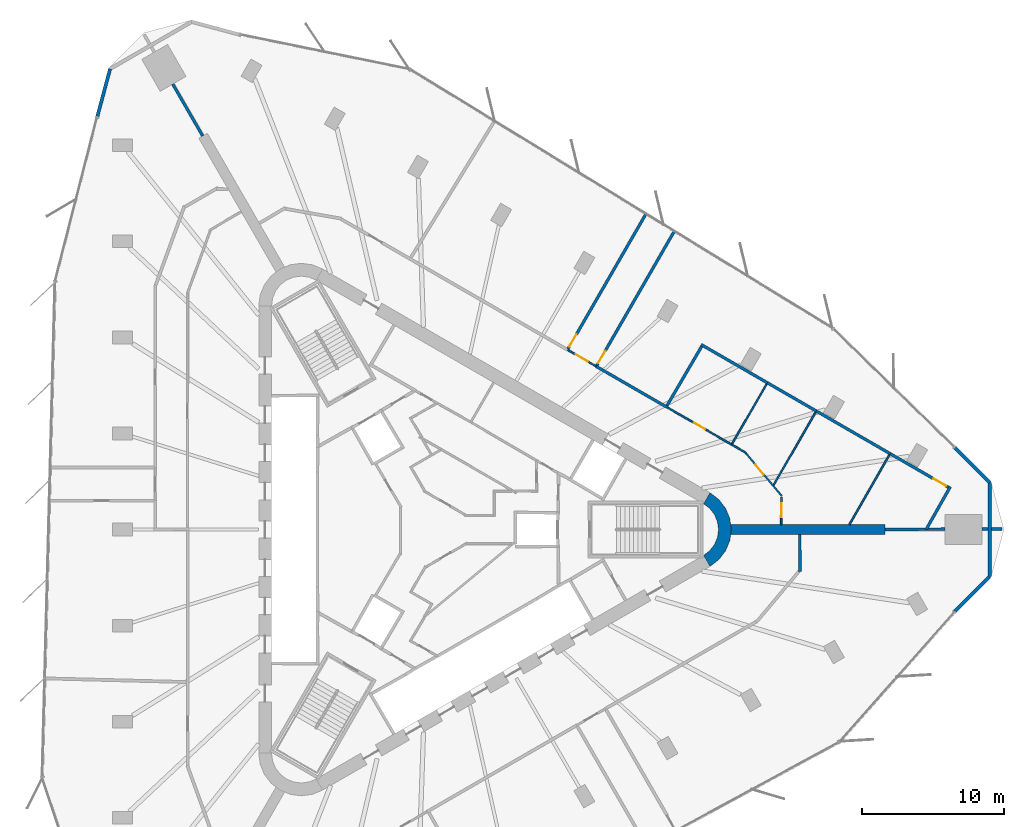
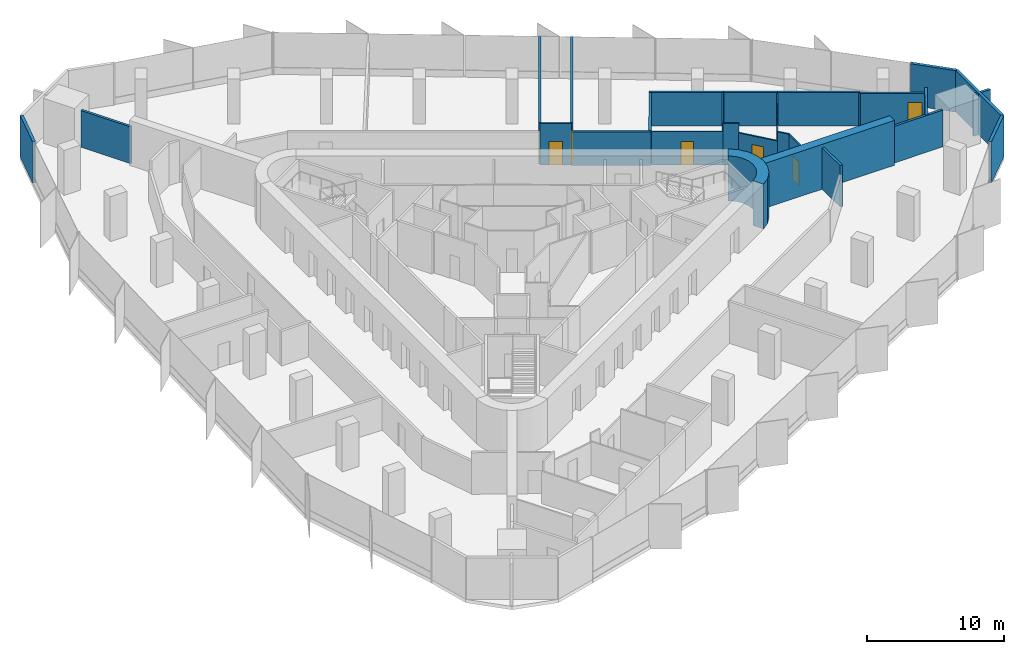
# One storey, part 12 of 14: 29 walls, 7 doors, 7 openings.
"""IFC4 building model written with IfcOpenShell, lengths in metres."""

from ifc_helpers import new_model, si_unit, direction, frame, frame_2d, origin, place, context, subcontext, project, spatial, polyline, rectangle, outline, extrude, material, layer, layer_set, type_object, element, fill, save


model = new_model("IFC4")

# Units and contexts
model_context = context("Model", 3, precision=1e-05, world=origin(), true_north=direction((0.0, 1.0)))
body_context = subcontext(model_context, "Body", "Model", "MODEL_VIEW")
ifc_project = project(units=[si_unit("LENGTHUNIT", "METRE"), si_unit("AREAUNIT", "SQUARE_METRE"), si_unit("VOLUMEUNIT", "CUBIC_METRE"), si_unit("PLANEANGLEUNIT", "RADIAN"), si_unit("MASSUNIT", "GRAM", prefix="KILO")], contexts=[model_context])

# Site, building, storey
site_placement = place(None, origin())
site = spatial("IfcSite", under=ifc_project, at=site_placement, CompositionType="ELEMENT")
building_placement = place(site_placement, origin())
building = spatial("IfcBuilding", under=site, at=building_placement, Name="Tanit Gate Tower", CompositionType="ELEMENT")
storey_placement = place(building_placement, frame((0.0, 0.0, 245.199951171875)))
storey = spatial("IfcBuildingStorey", under=building, at=storey_placement, Name="L55", CompositionType="ELEMENT", Elevation=245.199951171875)

# Walls
ifc_material_1 = material(Name="Concrete C50/60", Category="concrete")
ifc_layer_1 = layer(ifc_material_1, 0.699951171875)
ifc_layer_set_1 = layer_set([ifc_layer_1], Name="BUTTRESS FIN 700 C50/60")
wall_type_1 = type_object("IfcWallType", Name="BUTTRESS FIN 700 C50/60", PredefinedType="SHEAR", material=ifc_layer_set_1)
wall_1_placement = place(storey_placement, frame((21.14990234375, 0.0, 0.0), z_axis=(0.0, 0.0, 1.0), x_axis=(1.0, 0.0, 0.0)))
element("IfcWall", 1, at=wall_1_placement, inside=storey, type_object=wall_type_1, Name="BUTTRESS FIN", PredefinedType="SHEAR", context=body_context, shape_type="SweptSolid", body=[
    extrude(rectangle(XDim=10.900390625, YDim=0.699951171875, at=frame_2d((5.4501953125, 0.0))), origin(), (0.0, 0.0, 1.0), 4.0),
])
ifc_material_2 = material(Name="Concrete C50/60", Category="concrete")
ifc_layer_2 = layer(ifc_material_2, 0.89990234375)
ifc_layer_set_2 = layer_set([ifc_layer_2], Name="CORE WALL 900 C50/60")
wall_type_2 = type_object("IfcWallType", Name="CORE WALL 900 C50/60", PredefinedType="SHEAR", material=ifc_layer_set_2)
wall_2_placement = place(storey_placement, origin())
element("IfcWall", 2, at=wall_2_placement, inside=storey, type_object=wall_type_2, Name="CORE WALL CORNER", PredefinedType="SHEAR", context=body_context, shape_type="SweptSolid", body=[
    extrude(outline(polyline([(19.699951171875, -2.59814453125), (20.3212890625, -2.121337890625), (20.798095703125, -1.5), (21.097900390625, -0.776611328125), (21.199951171875, 0.0), (21.097900390625, 0.776611328125), (20.798095703125, 1.5), (20.3212890625, 2.121337890625), (19.699951171875, 2.59814453125), (19.25, 1.818603515625), (19.684814453125, 1.48486328125), (20.018798828125, 1.050048828125), (20.228515625, 0.54345703125), (20.300048828125, 0.0), (20.228515625, -0.54345703125), (20.018798828125, -1.050048828125), (19.684814453125, -1.48486328125), (19.25, -1.818603515625), (19.699951171875, -2.59814453125)])), origin(), (0.0, 0.0, 1.0), 4.0),
])
ifc_material_3 = material(Name="Concrete C30/37 with bronze anodised aluminium cladding", Category="concrete")
ifc_layer_3 = layer(ifc_material_3, 0.239990234375)
ifc_layer_set_3 = layer_set([ifc_layer_3], Name="Facade wall bronze clad 240")
wall_type_3 = type_object("IfcWallType", Name="Facade wall bronze clad 240", PredefinedType="SOLIDWALL", material=ifc_layer_set_3)
wall_3_placement = place(storey_placement, frame((-22.5791015625, 32.465576171875, 0.0), z_axis=(0.0, 0.0, 1.0), x_axis=(-0.25885800589, -0.965915385935, 0.0)))
element("IfcWall", 3, at=wall_3_placement, inside=storey, type_object=wall_type_3, Name="Bronze-clad facade wall L55 NW.arc3", PredefinedType="SOLIDWALL", context=body_context, shape_type="SweptSolid", body=[
    extrude(rectangle(XDim=3.4697265625, YDim=0.239990234375, at=frame_2d((1.73486328125, 0.0))), origin(), (0.0, 0.0, 1.0), 3.699951171875),
])
wall_4_placement = place(storey_placement, frame((36.948974609375, -5.77783203125, 0.0), z_axis=(0.0, 0.0, 1.0), x_axis=(0.707141916054, 0.707071644573, 0.0)))
element("IfcWall", 4, at=wall_4_placement, inside=storey, type_object=wall_type_3, Name="Bronze-clad facade wall L55 E.arc1", PredefinedType="SOLIDWALL", context=body_context, shape_type="SweptSolid", body=[
    extrude(rectangle(XDim=3.474365234375, YDim=0.239990234375, at=frame_2d((1.7373046875, 0.0))), origin(), (0.0, 0.0, 1.0), 3.699951171875),
])
wall_5_placement = place(storey_placement, frame((39.40576171875, -3.3212890625, 0.0), z_axis=(0.0, 0.0, 1.0), x_axis=(0.0, 1.0, 0.0)))
element("IfcWall", 5, at=wall_5_placement, inside=storey, type_object=wall_type_3, Name="Bronze-clad facade wall L55 E.arc2", PredefinedType="SOLIDWALL", context=body_context, shape_type="SweptSolid", body=[
    extrude(rectangle(XDim=6.642578125, YDim=0.239990234375, at=frame_2d((3.3212890625, 0.0))), origin(), (0.0, 0.0, 1.0), 3.699951171875),
])
wall_6_placement = place(storey_placement, frame((39.40576171875, 3.3212890625, 0.0), z_axis=(0.0, 0.0, 1.0), x_axis=(-0.707106781187, 0.707106781187, 0.0)))
element("IfcWall", 6, at=wall_6_placement, inside=storey, type_object=wall_type_3, Name="Bronze-clad facade wall L55 E.arc3", PredefinedType="SOLIDWALL", context=body_context, shape_type="SweptSolid", body=[
    extrude(rectangle(XDim=3.469970703125, YDim=0.239990234375, at=frame_2d((1.73486328125, 0.0))), origin(), (0.0, 0.0, 1.0), 3.699951171875),
])
ifc_material_4 = material(Name="Fire-rated gypsum board partition")
ifc_layer_4 = layer(ifc_material_4, 0.199951171875)
ifc_layer_set_4 = layer_set([ifc_layer_4], Name="INT-WALL-COMPARTMENT")
wall_type_4 = type_object("IfcWallType", Name="INT-WALL-COMPARTMENT", PredefinedType="PARTITIONING", material=ifc_layer_set_4)
wall_7_placement = place(storey_placement, frame((16.6728515625, 8.6181640625, 0.0), z_axis=(0.0, 0.0, 1.0), x_axis=(-0.866014659605, 0.500018609004, 0.0)))
element("IfcWall", 7, at=wall_7_placement, inside=storey, type_object=wall_type_4, Name="Wall Compartment W107", PredefinedType="PARTITIONING", context=body_context, shape_type="SweptSolid", body=[
    extrude(rectangle(XDim=5.780029296875, YDim=0.199951171875, at=frame_2d((2.89013671875, 0.0))), origin(), (0.0, 0.0, 1.0), 2.97998046875),
])
wall_8_placement = place(storey_placement, frame((26.04736328125, -2.972412109375, 0.0), z_axis=(0.0, 0.0, 1.0), x_axis=(-0.010519853563, 0.99994466481, 0.0)))
element("IfcWall", 8, at=wall_8_placement, inside=storey, type_object=wall_type_4, Name="Wall Compartment W114", PredefinedType="PARTITIONING", context=body_context, shape_type="SweptSolid", body=[
    extrude(rectangle(XDim=2.62255859375, YDim=0.199951171875, at=frame_2d((1.311279296875, 0.0))), origin(), (0.0, 0.0, 1.0), 3.699951171875),
])
wall_9_placement = place(storey_placement, frame((-18.160888671875, 31.3955078125, 0.0), z_axis=(0.0, 0.0, 1.0), x_axis=(0.500034652011, -0.866005396512, 0.0)))
element("IfcWall", 9, at=wall_9_placement, inside=storey, type_object=wall_type_4, Name="Wall Compartment W130", PredefinedType="PARTITIONING", context=body_context, shape_type="SweptSolid", body=[
    extrude(rectangle(XDim=4.219482421875, YDim=0.199951171875, at=frame_2d((2.10986328125, 0.0))), origin(), (0.0, 0.0, 1.0), 3.27001953125),
])

# Wall, opening, door
wall_10_placement = place(storey_placement, frame((15.18701171875, 22.244873046875, 0.0), z_axis=(0.0, 0.0, 1.0), x_axis=(-0.49999723543, -0.866026999904, 0.0)))
wall_10 = element("IfcWall", 10, at=wall_10_placement, inside=storey, type_object=wall_type_4, Name="Wall Compartment W131", PredefinedType="PARTITIONING", context=body_context, shape_type="SweptSolid", body=[
    extrude(rectangle(XDim=10.998046875, YDim=0.199951171875, at=frame_2d((5.4990234375, 0.0))), origin(), (0.0, 0.0, 1.0), 3.699951171875),
])
opening_1_placement = place(wall_10_placement, frame((9.798095703125, 0.0, 0.0)))
opening_1 = element("IfcOpeningElement", 11, at=opening_1_placement, cuts=wall_10, Name="Opening F10-S15-35", PredefinedType="OPENING", context=body_context, shape_type="SweptSolid", body=[
    extrude(rectangle(XDim=1.0, YDim=2.10009765625, at=frame_2d((0.5, 1.050048828125))), frame((0.0, 0.10986328125, 0.0), z_axis=(0.0, -1.0, 0.0), x_axis=(1.0, 0.0, 0.0)), (0.0, 0.0, 1.0), 0.219970703125),
])
ifc_material_5 = material(Name="Fire-rated steel door leaf", Category="steel")
door_type_1 = type_object("IfcDoorType", Name="INT-DOOR-FIRE-1000", OperationType="NOTDEFINED", PredefinedType="USERDEFINED", material=ifc_material_5)
door_1_placement = place(opening_1_placement, origin())
door_1 = element("IfcDoor", 12, at=door_1_placement, inside=storey, type_object=door_type_1, Name="Door F10-S15-35", ObjectType="FIRE DOOR", OperationType="SINGLE_SWING_RIGHT", OverallHeight=2.10009765625, OverallWidth=1.0, PredefinedType="USERDEFINED", context=body_context, shape_type="SweptSolid", body=[
    extrude(rectangle(XDim=1.0, YDim=2.10009765625, at=frame_2d((0.5, 1.050048828125))), frame((0.0, 0.02490234375, 0.0), z_axis=(0.0, -1.0, 0.0), x_axis=(1.0, 0.0, 0.0)), (0.0, 0.0, 1.0), 0.050048828125),
])
fill(opening_1, door_1)

wall_11_placement = place(storey_placement, frame((11.714599609375, 11.550048828125, 0.0), z_axis=(0.0, 0.0, 1.0), x_axis=(0.499999401607, 0.866025749266, 0.0)))
wall_11 = element("IfcWall", 13, at=wall_11_placement, inside=storey, type_object=wall_type_4, Name="Wall Compartment W132", PredefinedType="PARTITIONING", context=body_context, shape_type="SweptSolid", body=[
    extrude(rectangle(XDim=10.9375, YDim=0.199951171875, at=frame_2d((5.46875, 0.0))), origin(), (0.0, 0.0, 1.0), 3.699951171875),
])
opening_2_placement = place(wall_11_placement, frame((0.199951171875, 0.0, 0.0)))
opening_2 = element("IfcOpeningElement", 14, at=opening_2_placement, cuts=wall_11, Name="Opening F10-S15-36", PredefinedType="OPENING", context=body_context, shape_type="SweptSolid", body=[
    extrude(rectangle(XDim=1.0, YDim=2.10009765625, at=frame_2d((0.5, 1.050048828125))), frame((0.0, 0.10986328125, 0.0), z_axis=(0.0, -1.0, 0.0), x_axis=(1.0, 0.0, 0.0)), (0.0, 0.0, 1.0), 0.219970703125),
])
door_2_placement = place(opening_2_placement, origin())
door_2 = element("IfcDoor", 15, at=door_2_placement, inside=storey, type_object=door_type_1, Name="Door F10-S15-36", ObjectType="FIRE DOOR", OperationType="SINGLE_SWING_RIGHT", OverallHeight=2.10009765625, OverallWidth=1.0, PredefinedType="USERDEFINED", context=body_context, shape_type="SweptSolid", body=[
    extrude(rectangle(XDim=1.0, YDim=2.10009765625, at=frame_2d((0.5, 1.050048828125))), frame((0.0, 0.02490234375, 0.0), z_axis=(0.0, -1.0, 0.0), x_axis=(1.0, 0.0, 0.0)), (0.0, 0.0, 1.0), 0.050048828125),
])
fill(opening_2, door_2)

# Walls
wall_12_placement = place(storey_placement, frame((40.28759765625, 0.030029296875, 0.0), z_axis=(0.0, 0.0, 1.0), x_axis=(-1.0, 0.0, 0.0)))
element("IfcWall", 16, at=wall_12_placement, inside=storey, type_object=wall_type_4, Name="Wall Compartment W135", PredefinedType="PARTITIONING", context=body_context, shape_type="SweptSolid", body=[
    extrude(rectangle(XDim=0.761962890625, YDim=0.199951171875, at=frame_2d((0.380859375, 0.0))), origin(), (0.0, 0.0, 1.0), 3.699951171875),
])
wall_13_placement = place(storey_placement, frame((39.28564453125, 0.030029296875, 0.0), z_axis=(0.0, 0.0, 1.0), x_axis=(-1.0, 0.0, 0.0)))
element("IfcWall", 17, at=wall_13_placement, inside=storey, type_object=wall_type_4, Name="Wall Compartment W135x1", PredefinedType="PARTITIONING", context=body_context, shape_type="SweptSolid", body=[
    extrude(rectangle(XDim=0.415771484375, YDim=0.199951171875, at=frame_2d((0.2080078125, 0.0))), origin(), (0.0, 0.0, 1.0), 3.699951171875),
])
wall_14_placement = place(storey_placement, frame((36.269775390625, 0.030029296875, 0.0), z_axis=(0.0, 0.0, 1.0), x_axis=(-0.999974676399, -0.007116639773, 0.0)))
element("IfcWall", 18, at=wall_14_placement, inside=storey, type_object=wall_type_4, Name="Wall Compartment W134", PredefinedType="PARTITIONING", context=body_context, shape_type="SweptSolid", body=[
    extrude(rectangle(XDim=4.219482421875, YDim=0.199951171875, at=frame_2d((2.10986328125, 0.0))), origin(), (0.0, 0.0, 1.0), 3.27001953125),
])
wall_15_placement = place(storey_placement, frame((19.0751953125, 13.039306640625, 0.0), z_axis=(0.0, 0.0, 1.0), x_axis=(0.866038526581, -0.499977269961, 0.0)))
element("IfcWall", 19, at=wall_15_placement, inside=storey, type_object=wall_type_4, Name="Wall Compartment W136", PredefinedType="PARTITIONING", context=body_context, shape_type="SweptSolid", body=[
    extrude(rectangle(XDim=5.390869140625, YDim=0.199951171875, at=frame_2d((2.6953125, 0.0))), origin(), (0.0, 0.0, 1.0), 2.97998046875),
])
wall_16_placement = place(storey_placement, frame((23.743896484375, 10.343994140625, 0.0), z_axis=(0.0, 0.0, 1.0), x_axis=(0.86599666964, -0.500049765695, 0.0)))
element("IfcWall", 20, at=wall_16_placement, inside=storey, type_object=wall_type_4, Name="Wall Compartment W138", PredefinedType="PARTITIONING", context=body_context, shape_type="SweptSolid", body=[
    extrude(rectangle(XDim=3.9814453125, YDim=0.199951171875, at=frame_2d((1.99072265625, 0.0))), origin(), (0.0, 0.0, 1.0), 2.97998046875),
])
wall_17_placement = place(storey_placement, frame((27.19189453125, 8.35302734375, 0.0), z_axis=(0.0, 0.0, 1.0), x_axis=(0.866025306899, -0.50000016781, 0.0)))
element("IfcWall", 21, at=wall_17_placement, inside=storey, type_object=wall_type_4, Name="Wall Compartment W139", PredefinedType="PARTITIONING", context=body_context, shape_type="SweptSolid", body=[
    extrude(rectangle(XDim=6.01171875, YDim=0.199951171875, at=frame_2d((3.005859375, 0.0))), origin(), (0.0, 0.0, 1.0), 2.97998046875),
])

# Wall, opening, door
wall_18_placement = place(storey_placement, frame((32.398193359375, 5.34716796875, 0.0), z_axis=(0.0, 0.0, 1.0), x_axis=(0.866036218949, -0.499981267118, 0.0)))
wall_18 = element("IfcWall", 22, at=wall_18_placement, inside=storey, type_object=wall_type_4, Name="Wall Compartment W141", PredefinedType="PARTITIONING", context=body_context, shape_type="SweptSolid", body=[
    extrude(rectangle(XDim=4.736083984375, YDim=0.199951171875, at=frame_2d((2.3681640625, 0.0))), origin(), (0.0, 0.0, 1.0), 2.880126953125),
])
opening_3_placement = place(wall_18_placement, frame((3.535888671875, 0.0, 0.0)))
opening_3 = element("IfcOpeningElement", 23, at=opening_3_placement, cuts=wall_18, Name="Opening F10-S15-25", PredefinedType="OPENING", context=body_context, shape_type="SweptSolid", body=[
    extrude(rectangle(XDim=1.0, YDim=2.10009765625, at=frame_2d((0.5, 1.050048828125))), frame((0.0, 0.10986328125, 0.0), z_axis=(0.0, -1.0, 0.0), x_axis=(1.0, 0.0, 0.0)), (0.0, 0.0, 1.0), 0.219970703125),
])
door_3_placement = place(opening_3_placement, origin())
door_3 = element("IfcDoor", 24, at=door_3_placement, inside=storey, type_object=door_type_1, Name="Door F10-S15-25", ObjectType="FIRE DOOR", OperationType="SINGLE_SWING_LEFT", OverallHeight=2.10009765625, OverallWidth=1.0, PredefinedType="USERDEFINED", context=body_context, shape_type="SweptSolid", body=[
    extrude(rectangle(XDim=1.0, YDim=2.10009765625, at=frame_2d((0.5, 1.050048828125))), frame((0.0, 0.02490234375, 0.0), z_axis=(0.0, -1.0, 0.0), x_axis=(1.0, 0.0, 0.0)), (0.0, 0.0, 1.0), 0.050048828125),
])
fill(opening_3, door_3)

# Walls
wall_19_placement = place(storey_placement, frame((19.111328125, 12.903076171875, 0.0), z_axis=(0.0, 0.0, 1.0), x_axis=(-0.505159000856, -0.863026293837, 0.0)))
element("IfcWall", 25, at=wall_19_placement, inside=storey, type_object=wall_type_4, Name="Wall Compartment W137", PredefinedType="PARTITIONING", context=body_context, shape_type="SweptSolid", body=[
    extrude(rectangle(XDim=4.830078125, YDim=0.199951171875, at=frame_2d((2.4150390625, 0.0))), origin(), (0.0, 0.0, 1.0), 2.97998046875),
])
wall_20_placement = place(storey_placement, frame((34.9296875, 0.0, 0.0), z_axis=(0.0, 0.0, 1.0), x_axis=(0.49225689493, 0.870449969495, 0.0)))
element("IfcWall", 26, at=wall_20_placement, inside=storey, type_object=wall_type_4, Name="Wall Compartment W140", PredefinedType="PARTITIONING", context=body_context, shape_type="SweptSolid", body=[
    extrude(rectangle(XDim=3.46533203125, YDim=0.199951171875, at=frame_2d((1.732666015625, 0.0))), origin(), (0.0, 0.0, 1.0), 3.27001953125),
])
ifc_material_6 = material(Name="Gypsum board partition")
ifc_layer_5 = layer(ifc_material_6, 0.1201171875)
ifc_layer_set_5 = layer_set([ifc_layer_5], Name="INT-WALL-PARTITION")
wall_type_5 = type_object("IfcWallType", Name="INT-WALL-PARTITION", PredefinedType="PARTITIONING", material=ifc_layer_set_5)
wall_21_placement = place(storey_placement, frame((22.235595703125, 5.406494140625, 0.0), z_axis=(0.0, 0.0, 1.0), x_axis=(-0.866024722723, 0.500001179632, 0.0)))
element("IfcWall", 27, at=wall_21_placement, inside=storey, type_object=wall_type_5, Name="Wall Partition W109", PredefinedType="PARTITIONING", context=body_context, shape_type="SweptSolid", body=[
    extrude(rectangle(XDim=1.16259765625, YDim=0.1201171875, at=frame_2d((0.581298828125, 0.0))), origin(), (0.0, 0.0, 1.0), 3.699951171875),
])

# Wall, opening, door
wall_22_placement = place(storey_placement, frame((21.228759765625, 5.98779296875, 0.0), z_axis=(0.0, 0.0, 1.0), x_axis=(-0.866024383922, 0.50000176645, 0.0)))
wall_22 = element("IfcWall", 28, at=wall_22_placement, inside=storey, type_object=wall_type_5, Name="Wall Partition W108", PredefinedType="PARTITIONING", context=body_context, shape_type="SweptSolid", body=[
    extrude(rectangle(XDim=5.220703125, YDim=0.1201171875, at=frame_2d((2.6103515625, 0.0))), origin(), (0.0, 0.0, 1.0), 2.97998046875),
])
opening_4_placement = place(wall_22_placement, frame((2.160400390625, 0.0, 0.0)))
opening_4 = element("IfcOpeningElement", 29, at=opening_4_placement, cuts=wall_22, Name="Opening D09-S15-22", PredefinedType="OPENING", context=body_context, shape_type="SweptSolid", body=[
    extrude(rectangle(XDim=0.89990234375, YDim=2.10009765625, at=frame_2d((0.449951171875, 1.050048828125))), frame((0.0, 0.070068359375, 0.0), z_axis=(0.0, -1.0, 0.0), x_axis=(1.0, 0.0, 0.0)), (0.0, 0.0, 1.0), 0.14013671875),
])
ifc_material_7 = material(Name="Timber door leaf", Category="wood")
door_type_2 = type_object("IfcDoorType", Name="INT-DOOR-SINGLE-900", OperationType="NOTDEFINED", PredefinedType="NOTDEFINED", material=ifc_material_7)
door_4_placement = place(opening_4_placement, origin())
door_4 = element("IfcDoor", 30, at=door_4_placement, inside=storey, type_object=door_type_2, Name="Door D09-S15-22", OperationType="SINGLE_SWING_RIGHT", OverallHeight=2.10009765625, OverallWidth=0.89990234375, PredefinedType="NOTDEFINED", context=body_context, shape_type="SweptSolid", body=[
    extrude(rectangle(XDim=0.89990234375, YDim=2.10009765625, at=frame_2d((0.449951171875, 1.050048828125))), frame((0.0, 0.02490234375, 0.0), z_axis=(0.0, -1.0, 0.0), x_axis=(1.0, 0.0, 0.0)), (0.0, 0.0, 1.0), 0.050048828125),
])
fill(opening_4, door_4)

wall_23_placement = place(storey_placement, frame((11.667236328125, 11.50830078125, 0.0), z_axis=(0.0, 0.0, 1.0), x_axis=(-0.866053019151, 0.499952165731, 0.0)))
wall_23 = element("IfcWall", 31, at=wall_23_placement, inside=storey, type_object=wall_type_5, Name="Wall Partition W102", PredefinedType="PARTITIONING", context=body_context, shape_type="SweptSolid", body=[
    extrude(rectangle(XDim=2.300048828125, YDim=0.1201171875, at=frame_2d((1.14990234375, 0.0))), origin(), (0.0, 0.0, 1.0), 3.699951171875),
])
opening_5_placement = place(wall_23_placement, frame((0.64990234375, 0.0, 0.0)))
opening_5 = element("IfcOpeningElement", 32, at=opening_5_placement, cuts=wall_23, Name="Opening D10-S15-20", PredefinedType="OPENING", context=body_context, shape_type="SweptSolid", body=[
    extrude(rectangle(XDim=1.0, YDim=2.10009765625, at=frame_2d((0.5, 1.050048828125))), frame((0.0, 0.070068359375, 0.0), z_axis=(0.0, -1.0, 0.0), x_axis=(1.0, 0.0, 0.0)), (0.0, 0.0, 1.0), 0.14013671875),
])
ifc_material_8 = material(Name="Timber door leaf", Category="wood")
door_type_3 = type_object("IfcDoorType", Name="INT-DOOR-SINGLE-1000", OperationType="NOTDEFINED", PredefinedType="NOTDEFINED", material=ifc_material_8)
door_5_placement = place(opening_5_placement, origin())
door_5 = element("IfcDoor", 33, at=door_5_placement, inside=storey, type_object=door_type_3, Name="Door D10-S15-20", OperationType="SINGLE_SWING_LEFT", OverallHeight=2.10009765625, OverallWidth=1.0, PredefinedType="NOTDEFINED", context=body_context, shape_type="SweptSolid", body=[
    extrude(rectangle(XDim=1.0, YDim=2.10009765625, at=frame_2d((0.5, 1.050048828125))), frame((0.0, 0.02490234375, 0.0), z_axis=(0.0, -1.0, 0.0), x_axis=(1.0, 0.0, 0.0)), (0.0, 0.0, 1.0), 0.050048828125),
])
fill(opening_5, door_5)

# Wall
wall_24_placement = place(storey_placement, frame((24.760498046875, 2.365478515625, 0.0), z_axis=(0.0, 0.0, 1.0), x_axis=(-0.642800124371, 0.766033941878, 0.0)))
element("IfcWall", 34, at=wall_24_placement, inside=storey, type_object=wall_type_5, Name="Wall Partition W111", PredefinedType="PARTITIONING", context=body_context, shape_type="SweptSolid", body=[
    extrude(rectangle(XDim=0.93505859375, YDim=0.1201171875, at=frame_2d((0.467529296875, 0.0))), origin(), (0.0, 0.0, 1.0), 3.699951171875),
])

# Wall, opening, door
wall_25_placement = place(storey_placement, frame((24.159423828125, 3.081787109375, 0.0), z_axis=(0.0, 0.0, 1.0), x_axis=(-0.642770249036, 0.766059010099, 0.0)))
wall_25 = element("IfcWall", 35, at=wall_25_placement, inside=storey, type_object=wall_type_5, Name="Wall Partition W110", PredefinedType="PARTITIONING", context=body_context, shape_type="SweptSolid", body=[
    extrude(rectangle(XDim=3.013916015625, YDim=0.1201171875, at=frame_2d((1.5068359375, 0.0))), origin(), (0.0, 0.0, 1.0), 2.880126953125),
])
opening_6_placement = place(wall_25_placement, frame((1.056884765625, 0.0, 0.0)))
opening_6 = element("IfcOpeningElement", 36, at=opening_6_placement, cuts=wall_25, Name="Opening D09-S15-23", PredefinedType="OPENING", context=body_context, shape_type="SweptSolid", body=[
    extrude(rectangle(XDim=0.89990234375, YDim=2.10009765625, at=frame_2d((0.449951171875, 1.050048828125))), frame((0.0, 0.070068359375, 0.0), z_axis=(0.0, -1.0, 0.0), x_axis=(1.0, 0.0, 0.0)), (0.0, 0.0, 1.0), 0.14013671875),
])
door_6_placement = place(opening_6_placement, origin())
door_6 = element("IfcDoor", 37, at=door_6_placement, inside=storey, type_object=door_type_2, Name="Door D09-S15-23", OperationType="SINGLE_SWING_RIGHT", OverallHeight=2.10009765625, OverallWidth=0.89990234375, PredefinedType="NOTDEFINED", context=body_context, shape_type="SweptSolid", body=[
    extrude(rectangle(XDim=0.89990234375, YDim=2.10009765625, at=frame_2d((0.449951171875, 1.050048828125))), frame((0.0, 0.02490234375, 0.0), z_axis=(0.0, -1.0, 0.0), x_axis=(1.0, 0.0, 0.0)), (0.0, 0.0, 1.0), 0.050048828125),
])
fill(opening_6, door_6)

wall_26_placement = place(storey_placement, frame((24.720703125, 0.35009765625, 0.0), z_axis=(0.0, 0.0, 1.0), x_axis=(0.012579203405, 0.999920878691, 0.0)))
wall_26 = element("IfcWall", 38, at=wall_26_placement, inside=storey, type_object=wall_type_5, Name="Wall Partition W112", PredefinedType="PARTITIONING", context=body_context, shape_type="SweptSolid", body=[
    extrude(rectangle(XDim=1.94091796875, YDim=0.1201171875, at=frame_2d((0.970458984375, 0.0))), origin(), (0.0, 0.0, 1.0), 3.699951171875),
])
opening_7_placement = place(wall_26_placement, frame((0.5205078125, 0.0, 0.0)))
opening_7 = element("IfcOpeningElement", 39, at=opening_7_placement, cuts=wall_26, Name="Opening D10-S15-24", PredefinedType="OPENING", context=body_context, shape_type="SweptSolid", body=[
    extrude(rectangle(XDim=1.0, YDim=2.10009765625, at=frame_2d((0.5, 1.050048828125))), frame((0.0, 0.070068359375, 0.0), z_axis=(0.0, -1.0, 0.0), x_axis=(1.0, 0.0, 0.0)), (0.0, 0.0, 1.0), 0.14013671875),
])
door_7_placement = place(opening_7_placement, origin())
door_7 = element("IfcDoor", 40, at=door_7_placement, inside=storey, type_object=door_type_3, Name="Door D10-S15-24", OperationType="SINGLE_SWING_RIGHT", OverallHeight=2.10009765625, OverallWidth=1.0, PredefinedType="NOTDEFINED", context=body_context, shape_type="SweptSolid", body=[
    extrude(rectangle(XDim=1.0, YDim=2.10009765625, at=frame_2d((0.5, 1.050048828125))), frame((0.0, 0.02490234375, 0.0), z_axis=(0.0, -1.0, 0.0), x_axis=(1.0, 0.0, 0.0)), (0.0, 0.0, 1.0), 0.050048828125),
])
fill(opening_7, door_7)

# Walls
wall_27_placement = place(storey_placement, frame((21.2587890625, 6.039794921875, 0.0), z_axis=(0.0, 0.0, 1.0), x_axis=(0.500010305712, 0.866019453697, 0.0)))
element("IfcWall", 41, at=wall_27_placement, inside=storey, type_object=wall_type_5, Name="Wall Partition W152", PredefinedType="PARTITIONING", context=body_context, shape_type="SweptSolid", body=[
    extrude(rectangle(XDim=4.8701171875, YDim=0.1201171875, at=frame_2d((2.43505859375, 0.0))), origin(), (0.0, 0.0, 1.0), 2.97998046875),
])
wall_28_placement = place(storey_placement, frame((27.14208984375, 8.2666015625, 0.0), z_axis=(0.0, 0.0, 1.0), x_axis=(-0.499992838882, -0.866029538218, 0.0)))
element("IfcWall", 42, at=wall_28_placement, inside=storey, type_object=wall_type_5, Name="Wall Partition W153", PredefinedType="PARTITIONING", context=body_context, shape_type="SweptSolid", body=[
    extrude(rectangle(XDim=5.9140625, YDim=0.1201171875, at=frame_2d((2.95703125, 0.0))), origin(), (0.0, 0.0, 1.0), 2.880126953125),
])
wall_29_placement = place(storey_placement, frame((29.517578125, 0.35009765625, 0.0), z_axis=(0.0, 0.0, 1.0), x_axis=(0.499424120211, 0.866357632939, 0.0)))
element("IfcWall", 43, at=wall_29_placement, inside=storey, type_object=wall_type_5, Name="Wall Partition W154", PredefinedType="PARTITIONING", context=body_context, shape_type="SweptSolid", body=[
    extrude(rectangle(XDim=5.668212890625, YDim=0.1201171875, at=frame_2d((2.833984375, 0.0))), origin(), (0.0, 0.0, 1.0), 2.880126953125),
])

save(model, "model.ifc")
